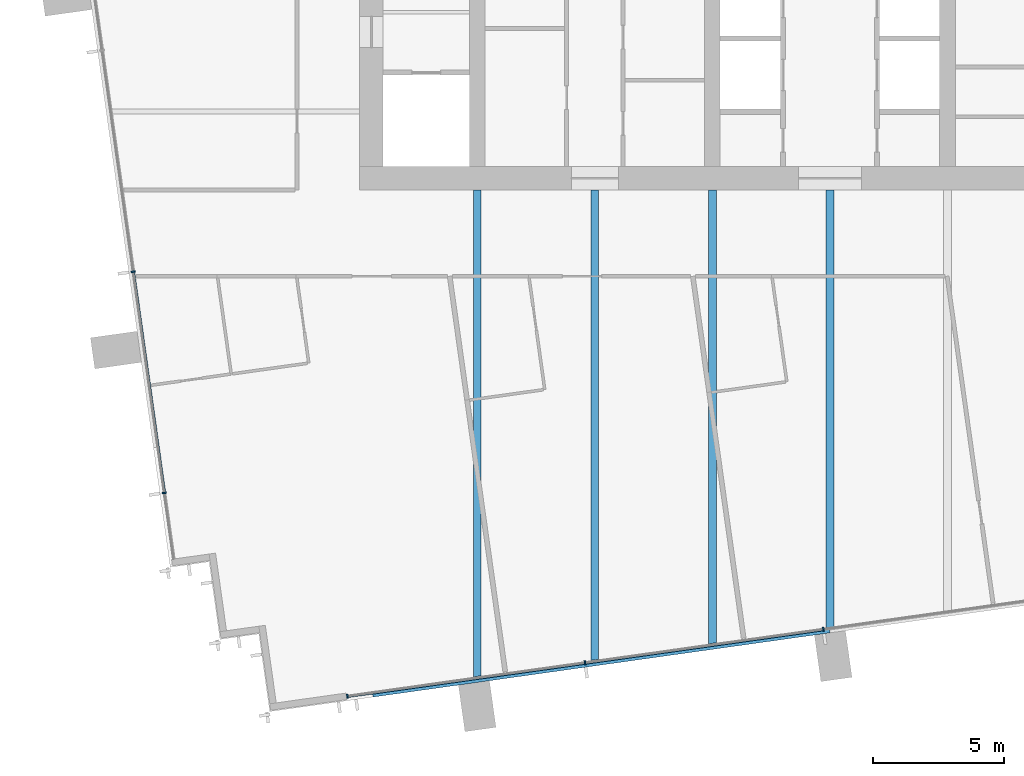
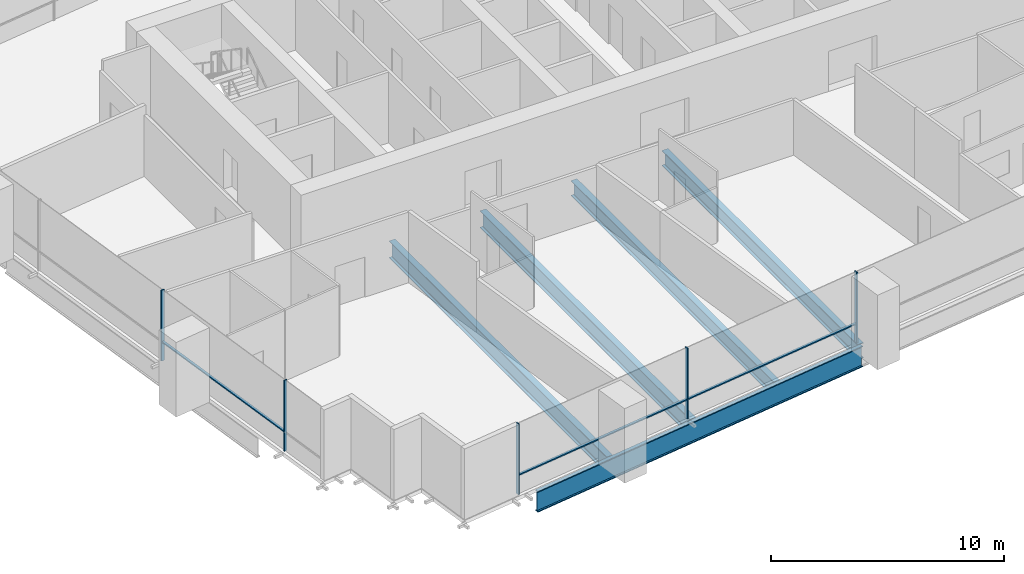
# One storey, part 2 of 14: 8 members, 5 beams, 2 elements without a shape of their own.
"""IFC4 building model written with IfcOpenShell, lengths in metres."""

from ifc_helpers import new_model, si_unit, direction, frame, origin, origin_2d, place, context, subcontext, project, spatial, rectangle, i_section, extrude, material, material_profile, profile_set, type_object, element, aggregate, save


model = new_model("IFC4")

# Units and contexts
model_context = context("Model", 3, precision=1e-05, world=origin(), true_north=direction((0.0, 1.0)))
body_context = subcontext(model_context, "Body", "Model", "MODEL_VIEW")
ifc_project = project(units=[si_unit("LENGTHUNIT", "METRE"), si_unit("AREAUNIT", "SQUARE_METRE"), si_unit("VOLUMEUNIT", "CUBIC_METRE"), si_unit("PLANEANGLEUNIT", "RADIAN"), si_unit("MASSUNIT", "GRAM", prefix="KILO")], contexts=[model_context])

# Site, building, storey
site_placement = place(None, origin())
site = spatial("IfcSite", under=ifc_project, at=site_placement, CompositionType="ELEMENT")
building_placement = place(site_placement, origin())
building = spatial("IfcBuilding", under=site, at=building_placement, Name="Rattan Terrace Tower", CompositionType="ELEMENT")
storey_placement = place(building_placement, frame((0.0, 0.0, 195.800048828125)))
storey = spatial("IfcBuildingStorey", under=building, at=storey_placement, Name="L45", CompositionType="ELEMENT", Elevation=195.800048828125)

# Curtain wall, members
ifc_material_1 = material(Name="Aluminium and glass", Category="aluminium")
curtain_wall_type = type_object("IfcCurtainWallType", Name="Facade Unitised Curtain Wall", PredefinedType="NOTDEFINED", material=ifc_material_1)
curtain_wall_1_placement = place(storey_placement, origin())
curtain_wall_1 = element("IfcCurtainWall", 1, at=curtain_wall_1_placement, inside=storey, type_object=curtain_wall_type, Name="Curtain wall L45-3", PredefinedType="NOTDEFINED")
ifc_material_2 = material(Name="Aluminium", Category="aluminium")
ifc_material_profile_1 = material_profile(ifc_material_2, rectangle(XDim=0.06005859375, YDim=0.159912109375, at=origin_2d()), Name="Aluminium 60x160")
ifc_profile_set_1 = profile_set([ifc_material_profile_1], Name="Aluminium")
member_type_1 = type_object("IfcMemberType", Name="Facade CW Mullion 60x160", PredefinedType="MULLION", material=ifc_profile_set_1)
member_1_placement = place(storey_placement, frame((-26.66748046875, -10.6259765625, 0.0), z_axis=(0.0, 0.0, 1.0), x_axis=(0.139190856006, -0.99026557327, 0.0)))
member_1 = element("IfcMember", 2, at=member_1_placement, type_object=member_type_1, Name="Mullion cwl-L45-003.3", PredefinedType="MULLION", context=body_context, shape_type="SweptSolid", body=[
    extrude(rectangle(XDim=0.06005859375, YDim=0.159912109375, at=origin_2d()), origin(), (0.0, 0.0, 1.0), 3.699951171875),
])
member_2_placement = place(storey_placement, frame((-25.477294921875, -19.092529296875, 0.0), z_axis=(0.0, 0.0, 1.0), x_axis=(0.139190856006, -0.99026557327, 0.0)))
member_2 = element("IfcMember", 3, at=member_2_placement, type_object=member_type_1, Name="Mullion cwl-L45-003.4", PredefinedType="MULLION", context=body_context, shape_type="SweptSolid", body=[
    extrude(rectangle(XDim=0.06005859375, YDim=0.159912109375, at=origin_2d()), origin(), (0.0, 0.0, 1.0), 3.699951171875),
])

curtain_wall_2_placement = place(storey_placement, origin())
curtain_wall_2 = element("IfcCurtainWall", 4, at=curtain_wall_2_placement, inside=storey, type_object=curtain_wall_type, Name="Curtain wall L45-4", PredefinedType="NOTDEFINED")
member_3_placement = place(storey_placement, frame((-18.467041015625, -26.87255859375, 0.0), z_axis=(0.0, 0.0, 1.0), x_axis=(0.990269702686, 0.139161474347, 0.0)))
member_3 = element("IfcMember", 5, at=member_3_placement, type_object=member_type_1, Name="Mullion cwl-L45-004.1", PredefinedType="MULLION", context=body_context, shape_type="SweptSolid", body=[
    extrude(rectangle(XDim=0.06005859375, YDim=0.159912109375, at=origin_2d()), origin(), (0.0, 0.0, 1.0), 3.699951171875),
])
member_4_placement = place(storey_placement, frame((-9.373291015625, -25.594482421875, 0.0), z_axis=(0.0, 0.0, 1.0), x_axis=(0.990269702686, 0.139161474347, 0.0)))
member_4 = element("IfcMember", 6, at=member_4_placement, type_object=member_type_1, Name="Mullion cwl-L45-004.2", PredefinedType="MULLION", context=body_context, shape_type="SweptSolid", body=[
    extrude(rectangle(XDim=0.06005859375, YDim=0.159912109375, at=origin_2d()), origin(), (0.0, 0.0, 1.0), 3.699951171875),
])
member_5_placement = place(storey_placement, frame((-0.25, -24.3125, 0.0), z_axis=(0.0, 0.0, 1.0), x_axis=(0.990269702686, 0.139161474347, 0.0)))
member_5 = element("IfcMember", 7, at=member_5_placement, type_object=member_type_1, Name="Mullion cwl-L45-004.3", PredefinedType="MULLION", context=body_context, shape_type="SweptSolid", body=[
    extrude(rectangle(XDim=0.06005859375, YDim=0.159912109375, at=origin_2d()), origin(), (0.0, 0.0, 1.0), 3.699951171875),
])

# Member
ifc_material_3 = material(Name="Aluminium", Category="aluminium")
ifc_material_profile_2 = material_profile(ifc_material_3, rectangle(XDim=0.1201171875, YDim=0.06005859375, at=origin_2d()), Name="Aluminium 120x60")
ifc_profile_set_2 = profile_set([ifc_material_profile_2], Name="Aluminium")
member_type_2 = type_object("IfcMemberType", Name="Facade CW Transom 120x60", PredefinedType="USERDEFINED", material=ifc_profile_set_2)
member_6_placement = place(storey_placement, frame((-26.663330078125, -10.655517578125, 1.0), z_axis=(0.139178607515, -0.99026729483, 0.0), x_axis=(0.99026729483, 0.139178607515, 0.0)))
member_6 = element("IfcMember", 8, at=member_6_placement, type_object=member_type_2, Name="Transom cwl-L45-003.3", ObjectType="TRANSOM", PredefinedType="USERDEFINED", context=body_context, shape_type="SweptSolid", body=[
    extrude(rectangle(XDim=0.1201171875, YDim=0.06005859375, at=origin_2d()), origin(), (0.0, 0.0, 1.0), 8.489990234375),
])

aggregate(curtain_wall_1, [member_1, member_2, member_6])

member_7_placement = place(storey_placement, frame((-18.437255859375, -26.868408203125, 1.0), z_axis=(0.990266494002, 0.139184305354, 0.0), x_axis=(-0.139184305354, 0.990266494002, 0.0)))
member_7 = element("IfcMember", 9, at=member_7_placement, type_object=member_type_2, Name="Transom cwl-L45-004.1", ObjectType="TRANSOM", PredefinedType="USERDEFINED", context=body_context, shape_type="SweptSolid", body=[
    extrude(rectangle(XDim=0.1201171875, YDim=0.06005859375, at=origin_2d()), origin(), (0.0, 0.0, 1.0), 9.123046875),
])

member_8_placement = place(storey_placement, frame((-9.343505859375, -25.59033203125, 1.0), z_axis=(0.990270711765, 0.139154293575, 0.0), x_axis=(-0.139154293575, 0.990270711765, 0.0)))
member_8 = element("IfcMember", 10, at=member_8_placement, type_object=member_type_2, Name="Transom cwl-L45-004.2", ObjectType="TRANSOM", PredefinedType="USERDEFINED", context=body_context, shape_type="SweptSolid", body=[
    extrude(rectangle(XDim=0.1201171875, YDim=0.06005859375, at=origin_2d()), origin(), (0.0, 0.0, 1.0), 9.153076171875),
])

aggregate(curtain_wall_2, [member_3, member_4, member_5, member_7, member_8])

# Beams
ifc_material_4 = material(Name="Steel S460", Category="steel")
ifc_material_profile_3 = material_profile(ifc_material_4, i_section(OverallWidth=0.179931640625, OverallDepth=1.10009765625, WebThickness=0.01611328125, FlangeThickness=0.050048828125, at=origin_2d()), Name="PG 1100x180-16-50")
ifc_profile_set_3 = profile_set([ifc_material_profile_3], Name="Steel S460")
beam_type_1 = type_object("IfcBeamType", Name="Frame edge girder PG 1100x180-16-50", PredefinedType="SPANDREL", material=ifc_profile_set_3)
beam_1_placement = place(storey_placement, frame((-17.4990234375, -26.818115234375, -0.75), z_axis=(0.990264173921, 0.139200811234, 0.0), x_axis=(-0.139200811234, 0.990264173921, 0.0)))
element("IfcBeam", 11, at=beam_1_placement, inside=storey, type_object=beam_type_1, Name="gdr-L45-001", PredefinedType="SPANDREL", context=body_context, shape_type="SweptSolid", body=[
    extrude(i_section(OverallWidth=0.179931640625, OverallDepth=1.10009765625, WebThickness=0.01611328125, FlangeThickness=0.050048828125, at=origin_2d()), origin(), (0.0, 0.0, 1.0), 17.657958984375),
])
ifc_material_5 = material(Name="Steel S355", Category="steel")
ifc_material_profile_4 = material_profile(ifc_material_5, i_section(OverallWidth=0.300048828125, OverallDepth=0.800048828125, WebThickness=0.017578125, FlangeThickness=0.032958984375, FilletRadius=0.030029296875, at=origin_2d()), Name="HE 800 B")
ifc_profile_set_4 = profile_set([ifc_material_profile_4], Name="Steel S355")
beam_type_2 = type_object("IfcBeamType", Name="Frame floor beam HE 800 B", PredefinedType="JOIST", material=ifc_profile_set_4)
beam_2_placement = place(storey_placement, frame((-4.5, -24.87890625, -0.60009765625), z_axis=(0.0, 1.0, 0.0), x_axis=(-1.0, 0.0, 0.0)))
element("IfcBeam", 12, at=beam_2_placement, inside=storey, type_object=beam_type_2, Name="bm-L45-005", PredefinedType="JOIST", context=body_context, shape_type="SweptSolid", body=[
    extrude(i_section(OverallWidth=0.300048828125, OverallDepth=0.800048828125, WebThickness=0.017578125, FlangeThickness=0.032958984375, FilletRadius=0.030029296875, at=origin_2d()), origin(), (0.0, 0.0, 1.0), 17.37890625),
])
beam_3_placement = place(storey_placement, frame((0.0, -24.24609375, -0.60009765625), z_axis=(0.0, 1.0, 0.0), x_axis=(-1.0, 0.0, 0.0)))
element("IfcBeam", 13, at=beam_3_placement, inside=storey, type_object=beam_type_2, Name="bm-L45-006", PredefinedType="JOIST", context=body_context, shape_type="SweptSolid", body=[
    extrude(i_section(OverallWidth=0.300048828125, OverallDepth=0.800048828125, WebThickness=0.017578125, FlangeThickness=0.032958984375, FilletRadius=0.030029296875, at=origin_2d()), origin(), (0.0, 0.0, 1.0), 16.74609375),
])
ifc_material_6 = material(Name="Steel S355", Category="steel")
ifc_material_profile_5 = material_profile(ifc_material_6, i_section(OverallWidth=0.300048828125, OverallDepth=0.89990234375, WebThickness=0.0185546875, FlangeThickness=0.034912109375, FilletRadius=0.030029296875, at=origin_2d()), Name="HE 900 B")
ifc_profile_set_5 = profile_set([ifc_material_profile_5], Name="Steel S355")
beam_type_3 = type_object("IfcBeamType", Name="Frame floor beam HE 900 B", PredefinedType="JOIST", material=ifc_profile_set_5)
beam_4_placement = place(storey_placement, frame((-13.5, -26.14404296875, -0.650146484375), z_axis=(0.0, 1.0, 0.0), x_axis=(-1.0, 0.0, 0.0)))
element("IfcBeam", 14, at=beam_4_placement, inside=storey, type_object=beam_type_3, Name="bm-L45-003", PredefinedType="JOIST", context=body_context, shape_type="SweptSolid", body=[
    extrude(i_section(OverallWidth=0.300048828125, OverallDepth=0.89990234375, WebThickness=0.0185546875, FlangeThickness=0.034912109375, FilletRadius=0.030029296875, at=origin_2d()), origin(), (0.0, 0.0, 1.0), 18.64404296875),
])
beam_5_placement = place(storey_placement, frame((-9.0, -25.510986328125, -0.650146484375), z_axis=(0.0, 1.0, 0.0), x_axis=(-1.0, 0.0, 0.0)))
element("IfcBeam", 15, at=beam_5_placement, inside=storey, type_object=beam_type_3, Name="bm-L45-004", PredefinedType="JOIST", context=body_context, shape_type="SweptSolid", body=[
    extrude(i_section(OverallWidth=0.300048828125, OverallDepth=0.89990234375, WebThickness=0.0185546875, FlangeThickness=0.034912109375, FilletRadius=0.030029296875, at=origin_2d()), origin(), (0.0, 0.0, 1.0), 18.010986328125),
])

save(model, "model.ifc")
